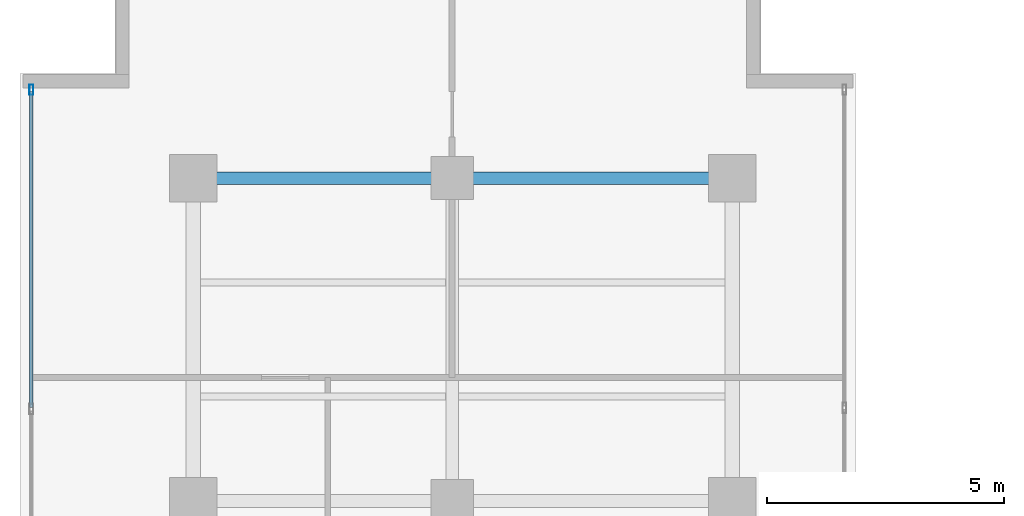
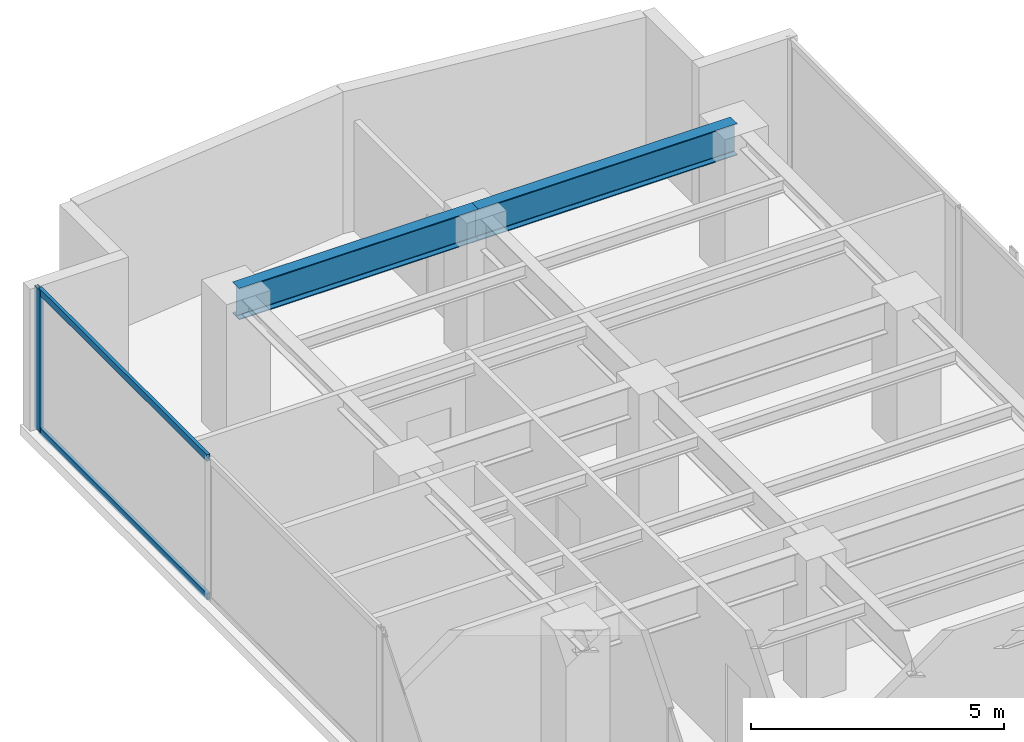
# One storey, part 14 of 24: 3 members, 2 beams, 1 element without a shape of its own.
"""IFC4 building model written with IfcOpenShell, lengths in metres."""

from ifc_helpers import new_model, si_unit, direction, frame, origin, origin_with_axes, origin_2d, place, context, subcontext, project, spatial, hollow_rectangle, i_section, extrude, source, transform, mapped, material, layer, layer_set, material_profile, profile_set, type_object, element, aggregate, save


model = new_model("IFC4")

# Units and contexts
model_context = context("Model", 3, precision=1e-05, world=origin(), true_north=direction((0.0, 1.0)))
body_context = subcontext(model_context, "Body", "Model", "MODEL_VIEW")
ifc_project = project(units=[si_unit("LENGTHUNIT", "METRE"), si_unit("AREAUNIT", "SQUARE_METRE"), si_unit("VOLUMEUNIT", "CUBIC_METRE"), si_unit("PLANEANGLEUNIT", "RADIAN"), si_unit("MASSUNIT", "GRAM", prefix="KILO")], contexts=[model_context])

# Site, building, storey
site_placement = place(None, origin())
site = spatial("IfcSite", under=ifc_project, at=site_placement, CompositionType="ELEMENT")
building_placement = place(site_placement, origin())
building = spatial("IfcBuilding", under=site, at=building_placement, Name="Kolvaren Waterfront Exchange", CompositionType="ELEMENT")
storey_placement = place(building_placement, frame((0.0, 0.0, 253.89990234375)))
storey = spatial("IfcBuildingStorey", under=building, at=storey_placement, Name="L65", CompositionType="ELEMENT", Elevation=253.89990234375)

# Beams
ifc_material_1 = material(Name="Steel S355", Category="steel")
ifc_material_profile_1 = material_profile(ifc_material_1, i_section(OverallWidth=0.26708984375, OverallDepth=0.761962890625, WebThickness=0.014404296875, FlangeThickness=0.021484375, FilletRadius=0.01708984375, at=origin_2d()), Name="IPE750x173")
ifc_profile_set_1 = profile_set([ifc_material_profile_1], Name="Steel S355")
beam_type = type_object("IfcBeamType", Name="STR-BM-IPE750", PredefinedType="BEAM", material=ifc_profile_set_1)
beam_1_placement = place(storey_placement, frame((7.449951171875, 44.60009765625, 3.0390625), z_axis=(1.0, 0.0, 0.0), x_axis=(0.0, 1.0, 0.0)))
element("IfcBeam", 1, at=beam_1_placement, inside=storey, type_object=beam_type, Name="L65 north-arm girder 4A", PredefinedType="BEAM", context=body_context, shape_type="SweptSolid", body=[
    extrude(i_section(OverallWidth=0.26708984375, OverallDepth=0.761962890625, WebThickness=0.014404296875, FlangeThickness=0.021484375, FilletRadius=0.01708984375, at=origin_2d()), origin(), (0.0, 0.0, 1.0), 5.449951171875),
])
beam_2_placement = place(storey_placement, frame((12.89990234375, 44.60009765625, 3.0390625), z_axis=(1.0, 0.0, 0.0), x_axis=(0.0, 1.0, 0.0)))
element("IfcBeam", 2, at=beam_2_placement, inside=storey, type_object=beam_type, Name="L65 north-arm girder 4B", PredefinedType="BEAM", context=body_context, shape_type="SweptSolid", body=[
    extrude(i_section(OverallWidth=0.26708984375, OverallDepth=0.761962890625, WebThickness=0.014404296875, FlangeThickness=0.021484375, FilletRadius=0.01708984375, at=origin_2d()), origin(), (0.0, 0.0, 1.0), 5.900146484375),
])

# Curtain wall, members
ifc_material_2 = material(Name="Anodised aluminium 6063-T6", Category="aluminium")
ifc_layer = layer(ifc_material_2, 0.219970703125, Name="Anodised aluminium 6063-T6")
ifc_layer_set = layer_set([ifc_layer], Name="Anodised aluminium 6063-T6")
curtain_wall_type = type_object("IfcCurtainWallType", Name="ARC-CW-SYS2", PredefinedType="USERDEFINED", material=ifc_layer_set)
curtain_wall_placement = place(storey_placement, origin())
curtain_wall = element("IfcCurtainWall", 3, at=curtain_wall_placement, inside=storey, type_object=curtain_wall_type, Name="L65 stick curtain wall CW2 (CW-L65-W)", ObjectType="STICK CURTAIN WALL", PredefinedType="USERDEFINED")
ifc_material_profile_2 = material_profile(ifc_material_2, hollow_rectangle(XDim=0.074951171875, YDim=0.159912109375, WallThickness=0.00439453125, at=origin_2d()), Name="ALU-TRN-160x75x4.5")
ifc_profile_set_2 = profile_set([ifc_material_profile_2], Name="Anodised aluminium 6063-T6")
member_type_1 = type_object("IfcMemberType", Name="ARC-CWT-160", PredefinedType="USERDEFINED", material=ifc_profile_set_2)
shared_shape_1 = source(origin_with_axes(), body_context, "Body", "SweptSolid", [
    extrude(hollow_rectangle(XDim=0.074951171875, YDim=0.159912109375, WallThickness=0.00439453125, at=origin_2d()), origin(), (0.0, 0.0, 1.0), 6.646484375),
])
member_1_placement = place(storey_placement, frame((4.0400390625, 39.7734375, 0.03759765625), z_axis=(0.0, 1.0, 0.0), x_axis=(-1.0, 0.0, 0.0)))
member_1 = element("IfcMember", 4, at=member_1_placement, type_object=member_type_1, Name="CW2 transom 6.1", ObjectType="TRANSOM", PredefinedType="USERDEFINED", context=body_context, shape_type="MappedRepresentation", body=[
    mapped(shared_shape_1, transform((0.0, 0.0, 0.0), x_axis=(1.0, 0.0, 0.0), y_axis=(0.0, 1.0, 0.0), z_axis=(0.0, 0.0, 1.0), scale=1.0)),
])
member_2_placement = place(storey_placement, frame((4.0400390625, 39.7734375, 3.382568359375), z_axis=(0.0, 1.0, 0.0), x_axis=(-1.0, 0.0, 0.0)))
member_2 = element("IfcMember", 5, at=member_2_placement, type_object=member_type_1, Name="CW2 transom 6.2", ObjectType="TRANSOM", PredefinedType="USERDEFINED", context=body_context, shape_type="MappedRepresentation", body=[
    mapped(shared_shape_1, transform((0.0, 0.0, 0.0), x_axis=(1.0, 0.0, 0.0), y_axis=(0.0, 1.0, 0.0), z_axis=(0.0, 0.0, 1.0), scale=1.0)),
])
ifc_material_profile_3 = material_profile(ifc_material_2, hollow_rectangle(XDim=0.080078125, YDim=0.219970703125, WallThickness=0.0048828125, at=origin_2d()), Name="ALU-MUL-220x80x5")
ifc_profile_set_3 = profile_set([ifc_material_profile_3], Name="Anodised aluminium 6063-T6")
member_type_2 = type_object("IfcMemberType", Name="ARC-CWM-220", PredefinedType="MULLION", material=ifc_profile_set_3)
shared_shape_2 = source(origin_with_axes(), body_context, "Body", "SweptSolid", [
    extrude(hollow_rectangle(XDim=0.080078125, YDim=0.219970703125, WallThickness=0.0048828125, at=origin_2d()), origin(), (0.0, 0.0, 1.0), 3.420166015625),
])
member_3_placement = place(storey_placement, frame((4.0400390625, 46.4599609375, 0.0), z_axis=(0.0, 0.0, 1.0), x_axis=(-1.0, 0.0, 0.0)))
member_3 = element("IfcMember", 6, at=member_3_placement, type_object=member_type_2, Name="CW2 mullion 7", PredefinedType="MULLION", context=body_context, shape_type="MappedRepresentation", body=[
    mapped(shared_shape_2, transform((0.0, 0.0, 0.0), x_axis=(1.0, 0.0, 0.0), y_axis=(0.0, 1.0, 0.0), z_axis=(0.0, 0.0, 1.0), scale=1.0)),
])
aggregate(curtain_wall, [member_3, member_1, member_2])

save(model, "model.ifc")
